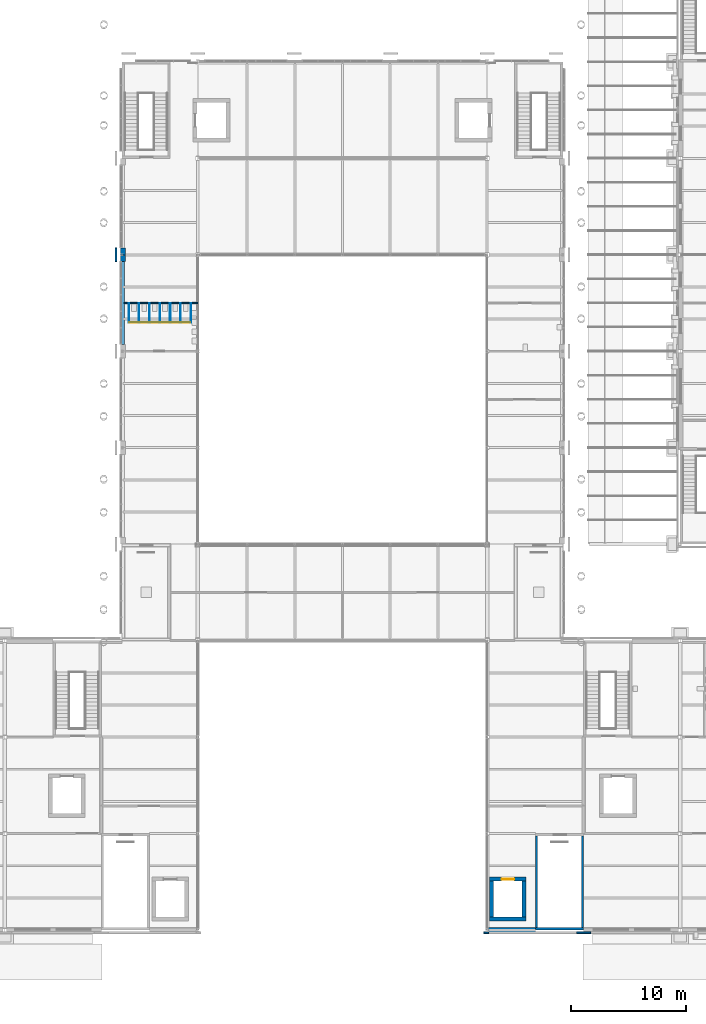
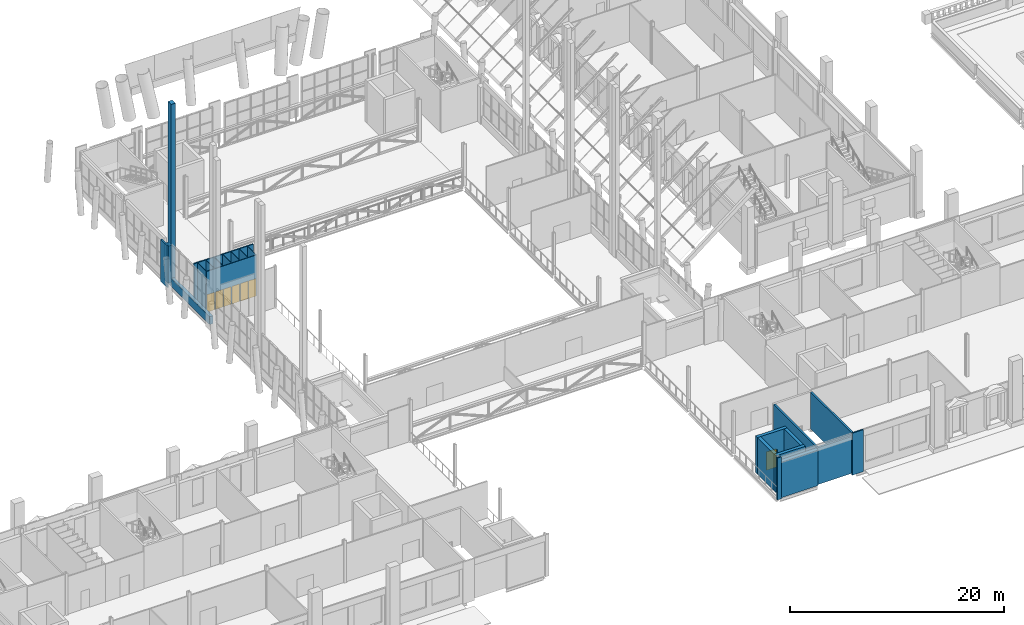
# One storey, part 50 of 76: 23 walls, 7 doors, 7 openings.
"""IFC4 building model written with IfcOpenShell, lengths in metres."""

from ifc_helpers import new_model, si_unit, direction, frame, frame_2d, origin, place, context, subcontext, project, spatial, rectangle, extrude, material, layer, layer_set, type_object, element, fill, save


model = new_model("IFC4")

# Units and contexts
model_context = context("Model", 3, precision=1e-05, world=origin(), true_north=direction((0.0, 1.0)))
body_context = subcontext(model_context, "Body", "Model", "MODEL_VIEW")
ifc_project = project(units=[si_unit("LENGTHUNIT", "METRE"), si_unit("AREAUNIT", "SQUARE_METRE"), si_unit("VOLUMEUNIT", "CUBIC_METRE"), si_unit("PLANEANGLEUNIT", "RADIAN"), si_unit("MASSUNIT", "GRAM", prefix="KILO")], contexts=[model_context])

# Site, building, storey
site_placement = place(None, origin())
site = spatial("IfcSite", under=ifc_project, at=site_placement, CompositionType="ELEMENT")
building_placement = place(site_placement, origin())
building = spatial("IfcBuilding", under=site, at=building_placement, Name="Sava Quay Ferry Terminal", CompositionType="ELEMENT")
storey_placement = place(building_placement, frame((0.0, 0.0, 6.0)))
storey = spatial("IfcBuildingStorey", under=building, at=storey_placement, Name="L01", CompositionType="ELEMENT", Elevation=6.0)

# Wall, openings, doors
ifc_material_1 = material(Name="High-pressure laminate panel")
ifc_layer_1 = layer(ifc_material_1, 0.050048828125)
ifc_layer_set_1 = layer_set([ifc_layer_1], Name="High-pressure laminate panel")
wall_type_1 = type_object("IfcWallType", Name="Cubicle partition 50", PredefinedType="PARTITIONING", material=ifc_layer_set_1)
wall_1_placement = place(storey_placement, frame((44.39990234375, 78.10009765625, 0.0), z_axis=(0.0, 0.0, 1.0), x_axis=(1.0, 0.0, 0.0)))
wall_1 = element("IfcWall", 1, at=wall_1_placement, inside=storey, type_object=wall_type_1, Name="Cubicle partition panel", PredefinedType="PARTITIONING", context=body_context, shape_type="SweptSolid", body=[
    extrude(rectangle(XDim=5.400146484375, YDim=0.050048828125, at=frame_2d((2.7001953125, 0.0))), origin(), (0.0, 0.0, 1.0), 4.669921875),
])
opening_1_placement = place(wall_1_placement, frame((0.050048828125, 0.0, 0.0)))
opening_1 = element("IfcOpeningElement", 2, at=opening_1_placement, cuts=wall_1, Name="Opening CD051", PredefinedType="OPENING", context=body_context, shape_type="SweptSolid", body=[
    extrude(rectangle(XDim=0.800048828125, YDim=2.0, at=frame_2d((0.39990234375, 1.0))), frame((0.0, 0.02490234375, 0.0), z_axis=(0.0, -1.0, 0.0), x_axis=(1.0, 0.0, 0.0)), (0.0, 0.0, 1.0), 0.050048828125),
])
opening_2_placement = place(wall_1_placement, frame((0.949951171875, 0.0, 0.0)))
opening_2 = element("IfcOpeningElement", 3, at=opening_2_placement, cuts=wall_1, Name="Opening CD052", PredefinedType="OPENING", context=body_context, shape_type="SweptSolid", body=[
    extrude(rectangle(XDim=0.800048828125, YDim=2.0, at=frame_2d((0.39990234375, 1.0))), frame((0.0, 0.02490234375, 0.0), z_axis=(0.0, -1.0, 0.0), x_axis=(1.0, 0.0, 0.0)), (0.0, 0.0, 1.0), 0.050048828125),
])
opening_3_placement = place(wall_1_placement, frame((1.85009765625, 0.0, 0.0)))
opening_3 = element("IfcOpeningElement", 4, at=opening_3_placement, cuts=wall_1, Name="Opening CD053", PredefinedType="OPENING", context=body_context, shape_type="SweptSolid", body=[
    extrude(rectangle(XDim=0.800048828125, YDim=2.0, at=frame_2d((0.39990234375, 1.0))), frame((0.0, 0.02490234375, 0.0), z_axis=(0.0, -1.0, 0.0), x_axis=(1.0, 0.0, 0.0)), (0.0, 0.0, 1.0), 0.050048828125),
])
opening_4_placement = place(wall_1_placement, frame((2.75, 0.0, 0.0)))
opening_4 = element("IfcOpeningElement", 5, at=opening_4_placement, cuts=wall_1, Name="Opening CD054", PredefinedType="OPENING", context=body_context, shape_type="SweptSolid", body=[
    extrude(rectangle(XDim=0.800048828125, YDim=2.0, at=frame_2d((0.39990234375, 1.0))), frame((0.0, 0.02490234375, 0.0), z_axis=(0.0, -1.0, 0.0), x_axis=(1.0, 0.0, 0.0)), (0.0, 0.0, 1.0), 0.050048828125),
])
opening_5_placement = place(wall_1_placement, frame((3.64990234375, 0.0, 0.0)))
opening_5 = element("IfcOpeningElement", 6, at=opening_5_placement, cuts=wall_1, Name="Opening CD055", PredefinedType="OPENING", context=body_context, shape_type="SweptSolid", body=[
    extrude(rectangle(XDim=0.800048828125, YDim=2.0, at=frame_2d((0.39990234375, 1.0))), frame((0.0, 0.02490234375, 0.0), z_axis=(0.0, -1.0, 0.0), x_axis=(1.0, 0.0, 0.0)), (0.0, 0.0, 1.0), 0.050048828125),
])
opening_6_placement = place(wall_1_placement, frame((4.550048828125, 0.0, 0.0)))
opening_6 = element("IfcOpeningElement", 7, at=opening_6_placement, cuts=wall_1, Name="Opening CD056", PredefinedType="OPENING", context=body_context, shape_type="SweptSolid", body=[
    extrude(rectangle(XDim=0.800048828125, YDim=2.0, at=frame_2d((0.39990234375, 1.0))), frame((0.0, 0.02490234375, 0.0), z_axis=(0.0, -1.0, 0.0), x_axis=(1.0, 0.0, 0.0)), (0.0, 0.0, 1.0), 0.050048828125),
])
ifc_material_2 = material(Name="Laminate door set")
door_type_1 = type_object("IfcDoorType", Name="Cubicle door 800 x 2000", OperationType="NOTDEFINED", PredefinedType="DOOR", material=ifc_material_2)
door_1_placement = place(opening_1_placement, origin())
door_1 = element("IfcDoor", 8, at=door_1_placement, inside=storey, type_object=door_type_1, Name="Cubicle door", OperationType="SINGLE_SWING_RIGHT", OverallHeight=2.0, OverallWidth=0.800048828125, PredefinedType="DOOR", context=body_context, shape_type="SweptSolid", body=[
    extrude(rectangle(XDim=0.800048828125, YDim=2.0, at=frame_2d((0.39990234375, 1.0))), frame((0.0, 0.02490234375, 0.0), z_axis=(0.0, -1.0, 0.0), x_axis=(1.0, 0.0, 0.0)), (0.0, 0.0, 1.0), 0.049560546875),
])
fill(opening_1, door_1)
door_2_placement = place(opening_2_placement, origin())
door_2 = element("IfcDoor", 9, at=door_2_placement, inside=storey, type_object=door_type_1, Name="Cubicle door", OperationType="SINGLE_SWING_LEFT", OverallHeight=2.0, OverallWidth=0.800048828125, PredefinedType="DOOR", context=body_context, shape_type="SweptSolid", body=[
    extrude(rectangle(XDim=0.800048828125, YDim=2.0, at=frame_2d((0.39990234375, 1.0))), frame((0.0, 0.02490234375, 0.0), z_axis=(0.0, -1.0, 0.0), x_axis=(1.0, 0.0, 0.0)), (0.0, 0.0, 1.0), 0.049560546875),
])
fill(opening_2, door_2)
door_3_placement = place(opening_3_placement, origin())
door_3 = element("IfcDoor", 10, at=door_3_placement, inside=storey, type_object=door_type_1, Name="Cubicle door", OperationType="SINGLE_SWING_RIGHT", OverallHeight=2.0, OverallWidth=0.800048828125, PredefinedType="DOOR", context=body_context, shape_type="SweptSolid", body=[
    extrude(rectangle(XDim=0.800048828125, YDim=2.0, at=frame_2d((0.39990234375, 1.0))), frame((0.0, 0.02490234375, 0.0), z_axis=(0.0, -1.0, 0.0), x_axis=(1.0, 0.0, 0.0)), (0.0, 0.0, 1.0), 0.049560546875),
])
fill(opening_3, door_3)
door_4_placement = place(opening_4_placement, origin())
door_4 = element("IfcDoor", 11, at=door_4_placement, inside=storey, type_object=door_type_1, Name="Cubicle door", OperationType="SINGLE_SWING_LEFT", OverallHeight=2.0, OverallWidth=0.800048828125, PredefinedType="DOOR", context=body_context, shape_type="SweptSolid", body=[
    extrude(rectangle(XDim=0.800048828125, YDim=2.0, at=frame_2d((0.39990234375, 1.0))), frame((0.0, 0.02490234375, 0.0), z_axis=(0.0, -1.0, 0.0), x_axis=(1.0, 0.0, 0.0)), (0.0, 0.0, 1.0), 0.049560546875),
])
fill(opening_4, door_4)
door_5_placement = place(opening_5_placement, origin())
door_5 = element("IfcDoor", 12, at=door_5_placement, inside=storey, type_object=door_type_1, Name="Cubicle door", OperationType="SINGLE_SWING_RIGHT", OverallHeight=2.0, OverallWidth=0.800048828125, PredefinedType="DOOR", context=body_context, shape_type="SweptSolid", body=[
    extrude(rectangle(XDim=0.800048828125, YDim=2.0, at=frame_2d((0.39990234375, 1.0))), frame((0.0, 0.02490234375, 0.0), z_axis=(0.0, -1.0, 0.0), x_axis=(1.0, 0.0, 0.0)), (0.0, 0.0, 1.0), 0.049560546875),
])
fill(opening_5, door_5)
door_6_placement = place(opening_6_placement, origin())
door_6 = element("IfcDoor", 13, at=door_6_placement, inside=storey, type_object=door_type_1, Name="Cubicle door", OperationType="SINGLE_SWING_LEFT", OverallHeight=2.0, OverallWidth=0.800048828125, PredefinedType="DOOR", context=body_context, shape_type="SweptSolid", body=[
    extrude(rectangle(XDim=0.800048828125, YDim=2.0, at=frame_2d((0.39990234375, 1.0))), frame((0.0, 0.02490234375, 0.0), z_axis=(0.0, -1.0, 0.0), x_axis=(1.0, 0.0, 0.0)), (0.0, 0.0, 1.0), 0.049560546875),
])
fill(opening_6, door_6)

# Walls
for number, where, z_axis, x_axis, name in (
    (14, (44.39990234375, 79.800048828125, 0.0), (0.0, 0.0, 1.0), (0.0, -1.0, 0.0), "Cubicle partition panel"),
    (15, (45.300048828125, 79.800048828125, 0.0), (0.0, 0.0, 1.0), (0.0, -1.0, 0.0), "Cubicle partition panel"),
    (16, (46.199951171875, 79.800048828125, 0.0), (0.0, 0.0, 1.0), (0.0, -1.0, 0.0), "Cubicle partition panel"),
    (17, (47.10009765625, 79.800048828125, 0.0), (0.0, 0.0, 1.0), (0.0, -1.0, 0.0), "Cubicle partition panel"),
    (18, (48.0, 79.800048828125, 0.0), (0.0, 0.0, 1.0), (0.0, -1.0, 0.0), "Cubicle partition panel"),
    (19, (48.89990234375, 79.800048828125, 0.0), (0.0, 0.0, 1.0), (0.0, -1.0, 0.0), "Cubicle partition panel"),
    (20, (49.800048828125, 79.800048828125, 0.0), (0.0, 0.0, 1.0), (0.0, -1.0, 0.0), "Cubicle partition panel"),
):
    element("IfcWall", number, at=place(storey_placement, frame(where, z_axis=z_axis, x_axis=x_axis)), inside=storey, type_object=wall_type_1, Name=name, PredefinedType="PARTITIONING", context=body_context, shape_type="SweptSolid", body=[
        extrude(rectangle(XDim=1.699951171875, YDim=0.050048828125, at=frame_2d((0.85009765625, 0.0))), origin(), (0.0, 0.0, 1.0), 4.669921875),
    ])
ifc_material_3 = material(Name="Limestone Mutalj", Category="masonry")
ifc_layer_2 = layer(ifc_material_3, 0.35009765625)
ifc_layer_set_2 = layer_set([ifc_layer_2], Name="Limestone Mutalj")
wall_type_2 = type_object("IfcWallType", Name="Limestone kerb and parapet 350", PredefinedType="SOLIDWALL", material=ifc_layer_set_2)
wall_2_placement = place(storey_placement, frame((43.824951171875, 76.199951171875, 0.0), z_axis=(0.0, 0.0, 1.0), x_axis=(0.0, 1.0, 0.0)))
element("IfcWall", 21, at=wall_2_placement, inside=storey, type_object=wall_type_2, Name="External wall D", PredefinedType="SOLIDWALL", context=body_context, shape_type="SweptSolid", body=[
    extrude(rectangle(XDim=7.199951171875, YDim=0.35009765625, at=frame_2d((3.60009765625, 0.0))), origin(), (0.0, 0.0, 1.0), 0.89990234375),
])
ifc_material_4 = material(Name="Limestone Mutalj", Category="masonry")
ifc_layer_3 = layer(ifc_material_4, 0.14990234375)
ifc_layer_set_3 = layer_set([ifc_layer_3], Name="Limestone Mutalj")
wall_type_3 = type_object("IfcWallType", Name="Pier cladding 150", PredefinedType="SOLIDWALL", material=ifc_layer_set_3)
wall_3_placement = place(storey_placement, frame((75.320068359375, 24.965087890625, 0.0), z_axis=(0.0, 0.0, 1.0), x_axis=(1.0, 0.0, 0.0)))
element("IfcWall", 22, at=wall_3_placement, inside=storey, type_object=wall_type_3, Name="Pier P-S grid 75.6", PredefinedType="SOLIDWALL", context=body_context, shape_type="SweptSolid", body=[
    extrude(rectangle(XDim=0.409912109375, YDim=0.14990234375, at=frame_2d((0.205078125, 0.0))), origin(), (0.0, 0.0, 1.0), 4.800048828125),
])
for number, where, z_axis, x_axis, name in (
    (23, (83.39990234375, 24.965087890625, 0.0), (0.0, 0.0, 1.0), (1.0, 0.0, 0.0), "Pier P-S grid 84"),
    (24, (43.27490234375, 83.39990234375, 0.0), (0.0, 0.0, 1.0), (0.0, 1.0, 0.0), "External wall D"),
):
    element("IfcWall", number, at=place(storey_placement, frame(where, z_axis=z_axis, x_axis=x_axis)), inside=storey, type_object=wall_type_3, Name=name, PredefinedType="SOLIDWALL", context=body_context, shape_type="SweptSolid", body=[
        extrude(rectangle(XDim=1.2001953125, YDim=0.14990234375, at=frame_2d((0.60009765625, 0.0))), origin(), (0.0, 0.0, 1.0), 4.800048828125),
    ])
ifc_material_5 = material(Name="Concrete C35/45", Category="concrete")
ifc_layer_4 = layer(ifc_material_5, 0.199951171875)
ifc_layer_set_4 = layer_set([ifc_layer_4], Name="Concrete C35/45")
wall_type_4 = type_object("IfcWallType", Name="RC core wall 200", PredefinedType="SHEAR", material=ifc_layer_set_4)
wall_4_placement = place(storey_placement, frame((79.800048828125, 25.300048828125, 0.0), z_axis=(0.0, 0.0, 1.0), x_axis=(1.0, 0.0, 0.0)))
element("IfcWall", 25, at=wall_4_placement, inside=storey, type_object=wall_type_4, Name="Core wall ST-A2 S L01", PredefinedType="SHEAR", context=body_context, shape_type="SweptSolid", body=[
    extrude(rectangle(XDim=4.199951171875, YDim=0.199951171875, at=frame_2d((2.10009765625, 0.0))), origin(), (0.0, 0.0, 1.0), 4.199951171875),
])
for number, where, z_axis, x_axis, name in (
    (26, (79.89990234375, 25.39990234375, 0.0), (0.0, 0.0, 1.0), (0.0, 1.0, 0.0), "Core wall ST-A2 W L01"),
    (27, (83.89990234375, 25.39990234375, 0.0), (0.0, 0.0, 1.0), (0.0, 1.0, 0.0), "Core wall ST-A2 E L01"),
):
    element("IfcWall", number, at=place(storey_placement, frame(where, z_axis=z_axis, x_axis=x_axis)), inside=storey, type_object=wall_type_4, Name=name, PredefinedType="SHEAR", context=body_context, shape_type="SweptSolid", body=[
        extrude(rectangle(XDim=8.0, YDim=0.199951171875, at=frame_2d((4.0, 0.0))), origin(), (0.0, 0.0, 1.0), 4.199951171875),
    ])
ifc_material_6 = material(Name="Concrete C35/45", Category="concrete")
ifc_layer_5 = layer(ifc_material_6, 0.35009765625)
ifc_layer_set_5 = layer_set([ifc_layer_5], Name="Concrete C35/45")
wall_type_5 = type_object("IfcWallType", Name="RC core wall 350", PredefinedType="SHEAR", material=ifc_layer_set_5)
wall_5_placement = place(storey_placement, frame((75.800048828125, 26.175048828125, 0.0), z_axis=(0.0, 0.0, 1.0), x_axis=(1.0, 0.0, 0.0)))
element("IfcWall", 28, at=wall_5_placement, inside=storey, type_object=wall_type_5, Name="Core wall LF-A2 S L01", PredefinedType="SHEAR", context=body_context, shape_type="SweptSolid", body=[
    extrude(rectangle(XDim=3.199951171875, YDim=0.35009765625, at=frame_2d((1.60009765625, 0.0))), origin(), (0.0, 0.0, 1.0), 4.199951171875),
])

# Wall, opening, door
wall_6_placement = place(storey_placement, frame((75.800048828125, 29.625, 0.0), z_axis=(0.0, 0.0, 1.0), x_axis=(1.0, 0.0, 0.0)))
wall_6 = element("IfcWall", 29, at=wall_6_placement, inside=storey, type_object=wall_type_5, Name="Core wall LF-A2 N L01", PredefinedType="SHEAR", context=body_context, shape_type="SweptSolid", body=[
    extrude(rectangle(XDim=3.199951171875, YDim=0.35009765625, at=frame_2d((1.60009765625, 0.0))), origin(), (0.0, 0.0, 1.0), 4.199951171875),
])
opening_7_placement = place(wall_6_placement, frame((1.050048828125, 0.0, 0.0)))
opening_7 = element("IfcOpeningElement", 30, at=opening_7_placement, cuts=wall_6, Name="Opening LD0102", PredefinedType="OPENING", context=body_context, shape_type="SweptSolid", body=[
    extrude(rectangle(XDim=1.10009765625, YDim=2.10009765625, at=frame_2d((0.550048828125, 1.050048828125))), frame((0.0, 0.175048828125, 0.0), z_axis=(0.0, -1.0, 0.0), x_axis=(1.0, 0.0, 0.0)), (0.0, 0.0, 1.0), 0.35009765625),
])
ifc_material_7 = material(Name="Stainless steel", Category="steel")
door_type_2 = type_object("IfcDoorType", Name="Lift landing door 1100 x 2100", OperationType="NOTDEFINED", PredefinedType="DOOR", material=ifc_material_7)
door_7_placement = place(opening_7_placement, origin())
door_7 = element("IfcDoor", 31, at=door_7_placement, inside=storey, type_object=door_type_2, Name="Door LD0102", OperationType="SLIDING_TO_RIGHT", OverallHeight=2.10009765625, OverallWidth=1.10009765625, PredefinedType="DOOR", context=body_context, shape_type="SweptSolid", body=[
    extrude(rectangle(XDim=1.10009765625, YDim=2.10009765625, at=frame_2d((0.550048828125, 1.050048828125))), frame((0.0, 0.02490234375, 0.0), z_axis=(0.0, -1.0, 0.0), x_axis=(1.0, 0.0, 0.0)), (0.0, 0.0, 1.0), 0.050048828125),
])
fill(opening_7, door_7)

# Walls
for number, where, z_axis, x_axis, name in (
    (32, (75.97509765625, 26.35009765625, 0.0), (0.0, 0.0, 1.0), (0.0, 1.0, 0.0), "Core wall LF-A2 W L01"),
    (33, (78.824951171875, 26.35009765625, 0.0), (0.0, 0.0, 1.0), (0.0, 1.0, 0.0), "Core wall LF-A2 E L01"),
):
    element("IfcWall", number, at=place(storey_placement, frame(where, z_axis=z_axis, x_axis=x_axis)), inside=storey, type_object=wall_type_5, Name=name, PredefinedType="SHEAR", context=body_context, shape_type="SweptSolid", body=[
        extrude(rectangle(XDim=3.099853515625, YDim=0.35009765625, at=frame_2d((1.5498046875, 0.0))), origin(), (0.0, 0.0, 1.0), 4.199951171875),
    ])
ifc_material_8 = material(Name="Limestone Mutalj", Category="masonry")
ifc_layer_6 = layer(ifc_material_8, 0.449951171875)
ifc_layer_set_6 = layer_set([ifc_layer_6], Name="Limestone Mutalj")
wall_type_6 = type_object("IfcWallType", Name="Rusticated limestone infill 450", PredefinedType="SOLIDWALL", material=ifc_layer_set_6)
wall_7_placement = place(storey_placement, frame((43.875, 83.39990234375, 0.0), z_axis=(0.0, 0.0, 1.0), x_axis=(0.0, 1.0, 0.0)))
element("IfcWall", 34, at=wall_7_placement, inside=storey, type_object=wall_type_6, Name="External wall D", PredefinedType="SOLIDWALL", context=body_context, shape_type="SweptSolid", body=[
    extrude(rectangle(XDim=0.60009765625, YDim=0.449951171875, at=frame_2d((0.300048828125, 0.0))), origin(), (0.0, 0.0, 1.0), 20.75),
])
wall_8_placement = place(storey_placement, frame((43.875, 84.0, 0.0), z_axis=(0.0, 0.0, 1.0), x_axis=(0.0, 1.0, 0.0)))
element("IfcWall", 35, at=wall_8_placement, inside=storey, type_object=wall_type_6, Name="External wall D", PredefinedType="SOLIDWALL", context=body_context, shape_type="SweptSolid", body=[
    extrude(rectangle(XDim=0.60009765625, YDim=0.449951171875, at=frame_2d((0.300048828125, 0.0))), origin(), (0.0, 0.0, 1.0), 4.199951171875),
])
ifc_material_9 = material(Name="Sandstone Bela Voda", Category="masonry")
ifc_layer_7 = layer(ifc_material_9, 0.39990234375)
ifc_layer_set_7 = layer_set([ifc_layer_7], Name="Sandstone Bela Voda")
wall_type_7 = type_object("IfcWallType", Name="Sandstone ashlar infill 400", PredefinedType="SOLIDWALL", material=ifc_layer_set_7)
wall_9_placement = place(storey_placement, frame((75.72998046875, 25.239990234375, 0.0), z_axis=(0.0, 0.0, 1.0), x_axis=(1.0, 0.0, 0.0)))
element("IfcWall", 36, at=wall_9_placement, inside=storey, type_object=wall_type_7, Name="External wall P-S", PredefinedType="SOLIDWALL", context=body_context, shape_type="SweptSolid", body=[
    extrude(rectangle(XDim=4.070068359375, YDim=0.39990234375, at=frame_2d((2.03515625, 0.0))), origin(), (0.0, 0.0, 1.0), 4.050048828125),
])
ifc_material_10 = material(Name="Moisture-resistant board on steel studs", Category="steel")
ifc_layer_8 = layer(ifc_material_10, 0.125)
ifc_layer_set_8 = layer_set([ifc_layer_8], Name="Moisture-resistant board on steel studs")
wall_type_8 = type_object("IfcWallType", Name="Toilet partition, moisture-resistant board 125", PredefinedType="PARTITIONING", material=ifc_layer_set_8)
wall_10_placement = place(storey_placement, frame((44.00048828125, 79.800048828125, 0.0), z_axis=(0.0, 0.0, 1.0), x_axis=(1.0, 0.0, 0.0)))
element("IfcWall", 37, at=wall_10_placement, inside=storey, type_object=wall_type_8, Name="Toilet partition, moisture-resistant board 125", PredefinedType="PARTITIONING", context=body_context, shape_type="SweptSolid", body=[
    extrude(rectangle(XDim=6.3994140625, YDim=0.125, at=frame_2d((3.19970703125, 0.0))), origin(), (0.0, 0.0, 1.0), 4.669921875),
])

save(model, "model.ifc")
